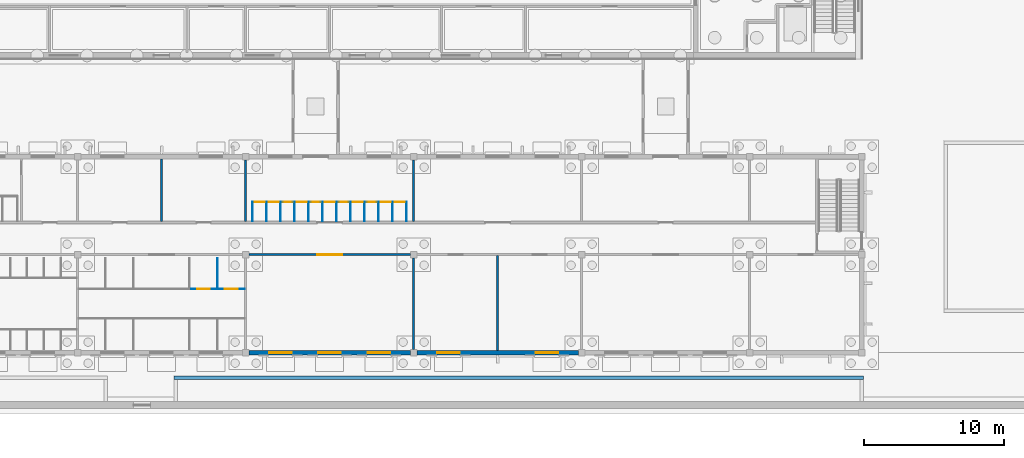
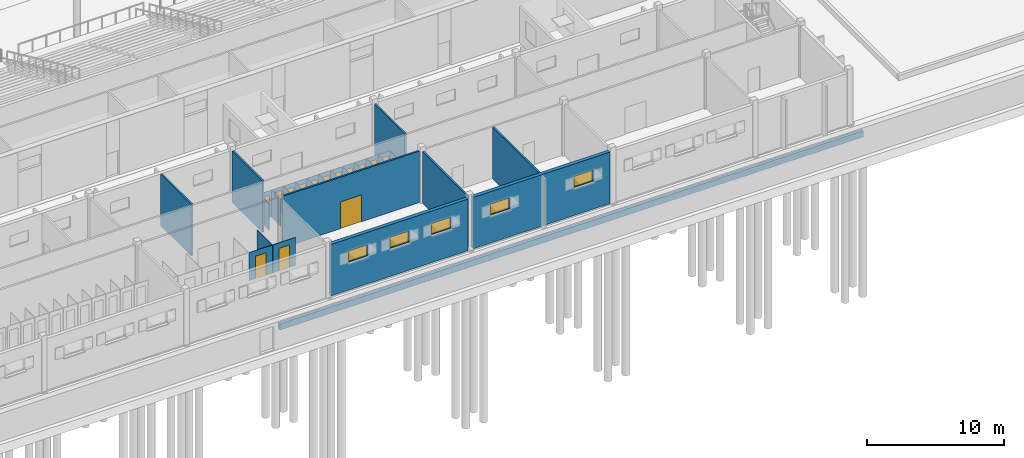
# One storey, part 88 of 157: 35 walls, 14 doors, 5 windows, 19 openings.
"""IFC4 building model written with IfcOpenShell, lengths in metres."""

from ifc_helpers import new_model, si_unit, direction, frame, frame_2d, origin, place, context, subcontext, project, spatial, rectangle, extrude, material, layer, layer_set, type_object, element, fill, save


model = new_model("IFC4")

# Units and contexts
model_context = context("Model", 3, precision=1e-05, world=origin(), true_north=direction((0.0, 1.0)))
body_context = subcontext(model_context, "Body", "Model", "MODEL_VIEW")
ifc_project = project(units=[si_unit("LENGTHUNIT", "METRE"), si_unit("AREAUNIT", "SQUARE_METRE"), si_unit("VOLUMEUNIT", "CUBIC_METRE"), si_unit("PLANEANGLEUNIT", "RADIAN"), si_unit("MASSUNIT", "GRAM", prefix="KILO")], contexts=[model_context])

# Site, building, storey
site_placement = place(None, origin())
site = spatial("IfcSite", under=ifc_project, at=site_placement, CompositionType="ELEMENT")
building_placement = place(site_placement, origin())
building = spatial("IfcBuilding", under=site, at=building_placement, Name="Windward Yard Aquatics Centre", CompositionType="ELEMENT")
storey_placement = place(building_placement, origin())
storey = spatial("IfcBuildingStorey", under=building, at=storey_placement, Name="L00", CompositionType="ELEMENT", Elevation=0.0)

# Wall, opening, door
ifc_material_1 = material(Name="Concrete masonry unit plastered", Category="masonry")
ifc_layer_1 = layer(ifc_material_1, 0.14990234375)
ifc_layer_set_1 = layer_set([ifc_layer_1], Name="C block partition 150")
wall_type_1 = type_object("IfcWallType", Name="C block partition 150", PredefinedType="PARTITIONING", material=ifc_layer_set_1)
wall_1_placement = place(storey_placement, frame((108.22509765625, 12.0, 0.0), z_axis=(0.0, 0.0, 1.0), x_axis=(1.0, 0.0, 0.0)))
wall_1 = element("IfcWall", 1, at=wall_1_placement, inside=storey, type_object=wall_type_1, Name="C.W.L00.SP.S.6", PredefinedType="PARTITIONING", context=body_context, shape_type="SweptSolid", body=[
    extrude(rectangle(XDim=11.5498046875, YDim=0.14990234375, at=frame_2d((5.77490234375, 0.0))), origin(), (0.0, 0.0, 1.0), 4.60009765625),
])
opening_1_placement = place(wall_1_placement, frame((4.875, 0.0, 0.0)))
opening_1 = element("IfcOpeningElement", 2, at=opening_1_placement, cuts=wall_1, Name="Opening C0010", PredefinedType="OPENING", context=body_context, shape_type="SweptSolid", body=[
    extrude(rectangle(XDim=1.800048828125, YDim=2.39990234375, at=frame_2d((0.89990234375, 1.199951171875))), frame((0.0, 0.0849609375, 0.0), z_axis=(0.0, -1.0, 0.0), x_axis=(1.0, 0.0, 0.0)), (0.0, 0.0, 1.0), 0.169921875),
])
ifc_material_2 = material(Name="Timber door leaf in steel frame", Category="steel")
door_type_1 = type_object("IfcDoorType", Name="C double door 1800X2400 FD30S", OperationType="DOUBLE_DOOR_SINGLE_SWING", PredefinedType="DOOR", material=ifc_material_2)
door_1_placement = place(opening_1_placement, origin())
door_1 = element("IfcDoor", 3, at=door_1_placement, inside=storey, type_object=door_type_1, Name="Door C0010", OperationType="DOUBLE_DOOR_SINGLE_SWING", OverallHeight=2.39990234375, OverallWidth=1.800048828125, PredefinedType="DOOR", context=body_context, shape_type="SweptSolid", body=[
    extrude(rectangle(XDim=1.800048828125, YDim=2.39990234375, at=frame_2d((0.89990234375, 1.199951171875))), frame((0.0, 0.02490234375, 0.0), z_axis=(0.0, -1.0, 0.0), x_axis=(1.0, 0.0, 0.0)), (0.0, 0.0, 1.0), 0.050048828125),
])
fill(opening_1, door_1)

# Walls
wall_2_placement = place(storey_placement, frame((120.0, 5.22509765625, 0.0), z_axis=(0.0, 0.0, 1.0), x_axis=(0.0, 1.0, 0.0)))
element("IfcWall", 4, at=wall_2_placement, inside=storey, type_object=wall_type_1, Name="C.W.L00.SD.68.1", PredefinedType="PARTITIONING", context=body_context, shape_type="SweptSolid", body=[
    extrude(rectangle(XDim=6.5498046875, YDim=0.14990234375, at=frame_2d((3.27490234375, 0.0))), origin(), (0.0, 0.0, 1.0), 4.60009765625),
])
wall_3_placement = place(storey_placement, frame((126.0, 5.14990234375, 0.0), z_axis=(0.0, 0.0, 1.0), x_axis=(0.0, 1.0, 0.0)))
element("IfcWall", 5, at=wall_3_placement, inside=storey, type_object=wall_type_1, Name="C.W.L00.SD.74.1", PredefinedType="PARTITIONING", context=body_context, shape_type="SweptSolid", body=[
    extrude(rectangle(XDim=6.775146484375, YDim=0.14990234375, at=frame_2d((3.3876953125, 0.0))), origin(), (0.0, 0.0, 1.0), 4.60009765625),
])
wall_4_placement = place(storey_placement, frame((102.0, 14.375, 0.0), z_axis=(0.0, 0.0, 1.0), x_axis=(0.0, 1.0, 0.0)))
element("IfcWall", 6, at=wall_4_placement, inside=storey, type_object=wall_type_1, Name="C.W.L00.ND.50.1", PredefinedType="PARTITIONING", context=body_context, shape_type="SweptSolid", body=[
    extrude(rectangle(XDim=4.47509765625, YDim=0.14990234375, at=frame_2d((2.237548828125, 0.0))), origin(), (0.0, 0.0, 1.0), 4.60009765625),
])
for number, where, z_axis, x_axis, name in (
    (7, (108.0, 14.375, 0.0), (0.0, 0.0, 1.0), (0.0, 1.0, 0.0), "C.W.L00.ND.56.1"),
    (8, (120.0, 14.375, 0.0), (0.0, 0.0, 1.0), (0.0, 1.0, 0.0), "C.W.L00.ND.68.1"),
):
    element("IfcWall", number, at=place(storey_placement, frame(where, z_axis=z_axis, x_axis=x_axis)), inside=storey, type_object=wall_type_1, Name=name, PredefinedType="PARTITIONING", context=body_context, shape_type="SweptSolid", body=[
        extrude(rectangle(XDim=4.39990234375, YDim=0.14990234375, at=frame_2d((2.199951171875, 0.0))), origin(), (0.0, 0.0, 1.0), 4.60009765625),
    ])
ifc_material_3 = material(Name="High-pressure laminate panel on stainless frame")
ifc_layer_2 = layer(ifc_material_3, 0.0400390625)
ifc_layer_set_2 = layer_set([ifc_layer_2], Name="C cubicle panel 40")
wall_type_2 = type_object("IfcWallType", Name="C cubicle panel 40", PredefinedType="PARTITIONING", material=ifc_layer_set_2)
wall_5_placement = place(storey_placement, frame((106.0, 11.75, 0.0), z_axis=(0.0, 0.0, 1.0), x_axis=(0.0, -1.0, 0.0)))
element("IfcWall", 9, at=wall_5_placement, inside=storey, type_object=wall_type_2, Name="C.W.L00.D.P5", PredefinedType="PARTITIONING", context=body_context, shape_type="SweptSolid", body=[
    extrude(rectangle(XDim=2.199951171875, YDim=0.0400390625, at=frame_2d((1.10009765625, 0.0))), origin(), (0.0, 0.0, 1.0), 2.5),
])

# Wall, opening, door
wall_6_placement = place(storey_placement, frame((104.02001953125, 9.550048828125, 0.0), z_axis=(0.0, 0.0, 1.0), x_axis=(1.0, 0.0, 0.0)))
wall_6 = element("IfcWall", 10, at=wall_6_placement, inside=storey, type_object=wall_type_2, Name="C.W.L00.D.F4", PredefinedType="PARTITIONING", context=body_context, shape_type="SweptSolid", body=[
    extrude(rectangle(XDim=1.9599609375, YDim=0.0400390625, at=frame_2d((0.97998046875, 0.0))), origin(), (0.0, 0.0, 1.0), 2.5),
])
opening_2_placement = place(wall_6_placement, frame((0.530029296875, 0.0, 0.0)))
opening_2 = element("IfcOpeningElement", 11, at=opening_2_placement, cuts=wall_6, Name="Opening C0098", PredefinedType="OPENING", context=body_context, shape_type="SweptSolid", body=[
    extrude(rectangle(XDim=0.89990234375, YDim=2.0, at=frame_2d((0.449951171875, 1.0))), frame((0.0, 0.030029296875, 0.0), z_axis=(0.0, -1.0, 0.0), x_axis=(1.0, 0.0, 0.0)), (0.0, 0.0, 1.0), 0.06005859375),
])
ifc_material_4 = material(Name="High-pressure laminate door leaf")
door_type_2 = type_object("IfcDoorType", Name="C door 900X2000 NOT RATED", OperationType="SINGLE_SWING_LEFT", PredefinedType="DOOR", material=ifc_material_4)
door_2_placement = place(opening_2_placement, origin())
door_2 = element("IfcDoor", 12, at=door_2_placement, inside=storey, type_object=door_type_2, Name="Cubicle door D5", OperationType="SINGLE_SWING_LEFT", OverallHeight=2.0, OverallWidth=0.89990234375, PredefinedType="DOOR", context=body_context, shape_type="SweptSolid", body=[
    extrude(rectangle(XDim=0.89990234375, YDim=2.0, at=frame_2d((0.449951171875, 1.0))), frame((0.0, 0.019775390625, 0.0), z_axis=(0.0, -1.0, 0.0), x_axis=(1.0, 0.0, 0.0)), (0.0, 0.0, 1.0), 0.03955078125),
])
fill(opening_2, door_2)

wall_7_placement = place(storey_placement, frame((106.02001953125, 9.550048828125, 0.0), z_axis=(0.0, 0.0, 1.0), x_axis=(1.0, 0.0, 0.0)))
wall_7 = element("IfcWall", 13, at=wall_7_placement, inside=storey, type_object=wall_type_2, Name="C.W.L00.D.F5", PredefinedType="PARTITIONING", context=body_context, shape_type="SweptSolid", body=[
    extrude(rectangle(XDim=1.905029296875, YDim=0.0400390625, at=frame_2d((0.95263671875, 0.0))), origin(), (0.0, 0.0, 1.0), 2.5),
])
opening_3_placement = place(wall_7_placement, frame((0.50244140625, 0.0, 0.0)))
opening_3 = element("IfcOpeningElement", 14, at=opening_3_placement, cuts=wall_7, Name="Opening C0099", PredefinedType="OPENING", context=body_context, shape_type="SweptSolid", body=[
    extrude(rectangle(XDim=0.89990234375, YDim=2.0, at=frame_2d((0.449951171875, 1.0))), frame((0.0, 0.030029296875, 0.0), z_axis=(0.0, -1.0, 0.0), x_axis=(1.0, 0.0, 0.0)), (0.0, 0.0, 1.0), 0.06005859375),
])
door_3_placement = place(opening_3_placement, origin())
door_3 = element("IfcDoor", 15, at=door_3_placement, inside=storey, type_object=door_type_2, Name="Cubicle door D6", OperationType="SINGLE_SWING_LEFT", OverallHeight=2.0, OverallWidth=0.89990234375, PredefinedType="DOOR", context=body_context, shape_type="SweptSolid", body=[
    extrude(rectangle(XDim=0.89990234375, YDim=2.0, at=frame_2d((0.449951171875, 1.0))), frame((0.0, 0.019775390625, 0.0), z_axis=(0.0, -1.0, 0.0), x_axis=(1.0, 0.0, 0.0)), (0.0, 0.0, 1.0), 0.03955078125),
])
fill(opening_3, door_3)

# Walls
for number, where, z_axis, x_axis, name in (
    (16, (108.5, 14.375, 0.0), (0.0, 0.0, 1.0), (0.0, 1.0, 0.0), "C.W.L00.G.P0"),
    (17, (109.5, 14.375, 0.0), (0.0, 0.0, 1.0), (0.0, 1.0, 0.0), "C.W.L00.G.P1"),
    (18, (110.5, 14.375, 0.0), (0.0, 0.0, 1.0), (0.0, 1.0, 0.0), "C.W.L00.G.P2"),
    (19, (111.5, 14.375, 0.0), (0.0, 0.0, 1.0), (0.0, 1.0, 0.0), "C.W.L00.G.P3"),
    (20, (112.5, 14.375, 0.0), (0.0, 0.0, 1.0), (0.0, 1.0, 0.0), "C.W.L00.G.P4"),
    (21, (113.5, 14.375, 0.0), (0.0, 0.0, 1.0), (0.0, 1.0, 0.0), "C.W.L00.G.P5"),
    (22, (114.5, 14.375, 0.0), (0.0, 0.0, 1.0), (0.0, 1.0, 0.0), "C.W.L00.G.P6"),
    (23, (115.5, 14.375, 0.0), (0.0, 0.0, 1.0), (0.0, 1.0, 0.0), "C.W.L00.G.P7"),
    (24, (116.5, 14.375, 0.0), (0.0, 0.0, 1.0), (0.0, 1.0, 0.0), "C.W.L00.G.P8"),
    (25, (117.5, 14.375, 0.0), (0.0, 0.0, 1.0), (0.0, 1.0, 0.0), "C.W.L00.G.P9"),
    (26, (118.5, 14.375, 0.0), (0.0, 0.0, 1.0), (0.0, 1.0, 0.0), "C.W.L00.G.P10"),
    (27, (119.5, 14.375, 0.0), (0.0, 0.0, 1.0), (0.0, 1.0, 0.0), "C.W.L00.G.P11"),
):
    element("IfcWall", number, at=place(storey_placement, frame(where, z_axis=z_axis, x_axis=x_axis)), inside=storey, type_object=wall_type_2, Name=name, PredefinedType="PARTITIONING", context=body_context, shape_type="SweptSolid", body=[
        extrude(rectangle(XDim=1.39990234375, YDim=0.0400390625, at=frame_2d((0.699951171875, 0.0))), origin(), (0.0, 0.0, 1.0), 2.39990234375),
    ])

# Wall, opening, door
wall_8_placement = place(storey_placement, frame((108.52001953125, 15.77490234375, 0.0), z_axis=(0.0, 0.0, 1.0), x_axis=(1.0, 0.0, 0.0)))
wall_8 = element("IfcWall", 28, at=wall_8_placement, inside=storey, type_object=wall_type_2, Name="C.W.L00.G.F0", PredefinedType="PARTITIONING", context=body_context, shape_type="SweptSolid", body=[
    extrude(rectangle(XDim=0.9599609375, YDim=0.0400390625, at=frame_2d((0.47998046875, 0.0))), origin(), (0.0, 0.0, 1.0), 2.39990234375),
])
opening_4_placement = place(wall_8_placement, frame((0.1298828125, 0.0, 0.0)))
opening_4 = element("IfcOpeningElement", 29, at=opening_4_placement, cuts=wall_8, Name="Opening C0130", PredefinedType="OPENING", context=body_context, shape_type="SweptSolid", body=[
    extrude(rectangle(XDim=0.699951171875, YDim=2.0, at=frame_2d((0.35009765625, 1.0))), frame((0.0, 0.030029296875, 0.0), z_axis=(0.0, -1.0, 0.0), x_axis=(1.0, 0.0, 0.0)), (0.0, 0.0, 1.0), 0.06005859375),
])
door_type_3 = type_object("IfcDoorType", Name="C door 700X2000 NOT RATED", OperationType="SINGLE_SWING_LEFT", PredefinedType="DOOR", material=ifc_material_4)
door_4_placement = place(opening_4_placement, origin())
door_4 = element("IfcDoor", 30, at=door_4_placement, inside=storey, type_object=door_type_3, Name="Cubicle door G1", OperationType="SINGLE_SWING_LEFT", OverallHeight=2.0, OverallWidth=0.699951171875, PredefinedType="DOOR", context=body_context, shape_type="SweptSolid", body=[
    extrude(rectangle(XDim=0.699951171875, YDim=2.0, at=frame_2d((0.35009765625, 1.0))), frame((0.0, 0.019775390625, 0.0), z_axis=(0.0, -1.0, 0.0), x_axis=(1.0, 0.0, 0.0)), (0.0, 0.0, 1.0), 0.03955078125),
])
fill(opening_4, door_4)

wall_9_placement = place(storey_placement, frame((109.52001953125, 15.77490234375, 0.0), z_axis=(0.0, 0.0, 1.0), x_axis=(1.0, 0.0, 0.0)))
wall_9 = element("IfcWall", 31, at=wall_9_placement, inside=storey, type_object=wall_type_2, Name="C.W.L00.G.F1", PredefinedType="PARTITIONING", context=body_context, shape_type="SweptSolid", body=[
    extrude(rectangle(XDim=0.9599609375, YDim=0.0400390625, at=frame_2d((0.47998046875, 0.0))), origin(), (0.0, 0.0, 1.0), 2.39990234375),
])
opening_5_placement = place(wall_9_placement, frame((0.1298828125, 0.0, 0.0)))
opening_5 = element("IfcOpeningElement", 32, at=opening_5_placement, cuts=wall_9, Name="Opening C0131", PredefinedType="OPENING", context=body_context, shape_type="SweptSolid", body=[
    extrude(rectangle(XDim=0.699951171875, YDim=2.0, at=frame_2d((0.35009765625, 1.0))), frame((0.0, 0.030029296875, 0.0), z_axis=(0.0, -1.0, 0.0), x_axis=(1.0, 0.0, 0.0)), (0.0, 0.0, 1.0), 0.06005859375),
])
door_5_placement = place(opening_5_placement, origin())
door_5 = element("IfcDoor", 33, at=door_5_placement, inside=storey, type_object=door_type_3, Name="Cubicle door G2", OperationType="SINGLE_SWING_LEFT", OverallHeight=2.0, OverallWidth=0.699951171875, PredefinedType="DOOR", context=body_context, shape_type="SweptSolid", body=[
    extrude(rectangle(XDim=0.699951171875, YDim=2.0, at=frame_2d((0.35009765625, 1.0))), frame((0.0, 0.019775390625, 0.0), z_axis=(0.0, -1.0, 0.0), x_axis=(1.0, 0.0, 0.0)), (0.0, 0.0, 1.0), 0.03955078125),
])
fill(opening_5, door_5)

wall_10_placement = place(storey_placement, frame((110.52001953125, 15.77490234375, 0.0), z_axis=(0.0, 0.0, 1.0), x_axis=(1.0, 0.0, 0.0)))
wall_10 = element("IfcWall", 34, at=wall_10_placement, inside=storey, type_object=wall_type_2, Name="C.W.L00.G.F2", PredefinedType="PARTITIONING", context=body_context, shape_type="SweptSolid", body=[
    extrude(rectangle(XDim=0.9599609375, YDim=0.0400390625, at=frame_2d((0.47998046875, 0.0))), origin(), (0.0, 0.0, 1.0), 2.39990234375),
])
opening_6_placement = place(wall_10_placement, frame((0.1298828125, 0.0, 0.0)))
opening_6 = element("IfcOpeningElement", 35, at=opening_6_placement, cuts=wall_10, Name="Opening C0132", PredefinedType="OPENING", context=body_context, shape_type="SweptSolid", body=[
    extrude(rectangle(XDim=0.699951171875, YDim=2.0, at=frame_2d((0.35009765625, 1.0))), frame((0.0, 0.030029296875, 0.0), z_axis=(0.0, -1.0, 0.0), x_axis=(1.0, 0.0, 0.0)), (0.0, 0.0, 1.0), 0.06005859375),
])
door_6_placement = place(opening_6_placement, origin())
door_6 = element("IfcDoor", 36, at=door_6_placement, inside=storey, type_object=door_type_3, Name="Cubicle door G3", OperationType="SINGLE_SWING_LEFT", OverallHeight=2.0, OverallWidth=0.699951171875, PredefinedType="DOOR", context=body_context, shape_type="SweptSolid", body=[
    extrude(rectangle(XDim=0.699951171875, YDim=2.0, at=frame_2d((0.35009765625, 1.0))), frame((0.0, 0.019775390625, 0.0), z_axis=(0.0, -1.0, 0.0), x_axis=(1.0, 0.0, 0.0)), (0.0, 0.0, 1.0), 0.03955078125),
])
fill(opening_6, door_6)

wall_11_placement = place(storey_placement, frame((111.52001953125, 15.77490234375, 0.0), z_axis=(0.0, 0.0, 1.0), x_axis=(1.0, 0.0, 0.0)))
wall_11 = element("IfcWall", 37, at=wall_11_placement, inside=storey, type_object=wall_type_2, Name="C.W.L00.G.F3", PredefinedType="PARTITIONING", context=body_context, shape_type="SweptSolid", body=[
    extrude(rectangle(XDim=0.9599609375, YDim=0.0400390625, at=frame_2d((0.47998046875, 0.0))), origin(), (0.0, 0.0, 1.0), 2.39990234375),
])
opening_7_placement = place(wall_11_placement, frame((0.1298828125, 0.0, 0.0)))
opening_7 = element("IfcOpeningElement", 38, at=opening_7_placement, cuts=wall_11, Name="Opening C0133", PredefinedType="OPENING", context=body_context, shape_type="SweptSolid", body=[
    extrude(rectangle(XDim=0.699951171875, YDim=2.0, at=frame_2d((0.35009765625, 1.0))), frame((0.0, 0.030029296875, 0.0), z_axis=(0.0, -1.0, 0.0), x_axis=(1.0, 0.0, 0.0)), (0.0, 0.0, 1.0), 0.06005859375),
])
door_7_placement = place(opening_7_placement, origin())
door_7 = element("IfcDoor", 39, at=door_7_placement, inside=storey, type_object=door_type_3, Name="Cubicle door G4", OperationType="SINGLE_SWING_LEFT", OverallHeight=2.0, OverallWidth=0.699951171875, PredefinedType="DOOR", context=body_context, shape_type="SweptSolid", body=[
    extrude(rectangle(XDim=0.699951171875, YDim=2.0, at=frame_2d((0.35009765625, 1.0))), frame((0.0, 0.019775390625, 0.0), z_axis=(0.0, -1.0, 0.0), x_axis=(1.0, 0.0, 0.0)), (0.0, 0.0, 1.0), 0.03955078125),
])
fill(opening_7, door_7)

wall_12_placement = place(storey_placement, frame((112.52001953125, 15.77490234375, 0.0), z_axis=(0.0, 0.0, 1.0), x_axis=(1.0, 0.0, 0.0)))
wall_12 = element("IfcWall", 40, at=wall_12_placement, inside=storey, type_object=wall_type_2, Name="C.W.L00.G.F4", PredefinedType="PARTITIONING", context=body_context, shape_type="SweptSolid", body=[
    extrude(rectangle(XDim=0.9599609375, YDim=0.0400390625, at=frame_2d((0.47998046875, 0.0))), origin(), (0.0, 0.0, 1.0), 2.39990234375),
])
opening_8_placement = place(wall_12_placement, frame((0.1298828125, 0.0, 0.0)))
opening_8 = element("IfcOpeningElement", 41, at=opening_8_placement, cuts=wall_12, Name="Opening C0134", PredefinedType="OPENING", context=body_context, shape_type="SweptSolid", body=[
    extrude(rectangle(XDim=0.699951171875, YDim=2.0, at=frame_2d((0.35009765625, 1.0))), frame((0.0, 0.030029296875, 0.0), z_axis=(0.0, -1.0, 0.0), x_axis=(1.0, 0.0, 0.0)), (0.0, 0.0, 1.0), 0.06005859375),
])
door_8_placement = place(opening_8_placement, origin())
door_8 = element("IfcDoor", 42, at=door_8_placement, inside=storey, type_object=door_type_3, Name="Cubicle door G5", OperationType="SINGLE_SWING_LEFT", OverallHeight=2.0, OverallWidth=0.699951171875, PredefinedType="DOOR", context=body_context, shape_type="SweptSolid", body=[
    extrude(rectangle(XDim=0.699951171875, YDim=2.0, at=frame_2d((0.35009765625, 1.0))), frame((0.0, 0.019775390625, 0.0), z_axis=(0.0, -1.0, 0.0), x_axis=(1.0, 0.0, 0.0)), (0.0, 0.0, 1.0), 0.03955078125),
])
fill(opening_8, door_8)

wall_13_placement = place(storey_placement, frame((113.52001953125, 15.77490234375, 0.0), z_axis=(0.0, 0.0, 1.0), x_axis=(1.0, 0.0, 0.0)))
wall_13 = element("IfcWall", 43, at=wall_13_placement, inside=storey, type_object=wall_type_2, Name="C.W.L00.G.F5", PredefinedType="PARTITIONING", context=body_context, shape_type="SweptSolid", body=[
    extrude(rectangle(XDim=0.9599609375, YDim=0.0400390625, at=frame_2d((0.47998046875, 0.0))), origin(), (0.0, 0.0, 1.0), 2.39990234375),
])
opening_9_placement = place(wall_13_placement, frame((0.1298828125, 0.0, 0.0)))
opening_9 = element("IfcOpeningElement", 44, at=opening_9_placement, cuts=wall_13, Name="Opening C0135", PredefinedType="OPENING", context=body_context, shape_type="SweptSolid", body=[
    extrude(rectangle(XDim=0.699951171875, YDim=2.0, at=frame_2d((0.35009765625, 1.0))), frame((0.0, 0.030029296875, 0.0), z_axis=(0.0, -1.0, 0.0), x_axis=(1.0, 0.0, 0.0)), (0.0, 0.0, 1.0), 0.06005859375),
])
door_9_placement = place(opening_9_placement, origin())
door_9 = element("IfcDoor", 45, at=door_9_placement, inside=storey, type_object=door_type_3, Name="Cubicle door G6", OperationType="SINGLE_SWING_LEFT", OverallHeight=2.0, OverallWidth=0.699951171875, PredefinedType="DOOR", context=body_context, shape_type="SweptSolid", body=[
    extrude(rectangle(XDim=0.699951171875, YDim=2.0, at=frame_2d((0.35009765625, 1.0))), frame((0.0, 0.019775390625, 0.0), z_axis=(0.0, -1.0, 0.0), x_axis=(1.0, 0.0, 0.0)), (0.0, 0.0, 1.0), 0.03955078125),
])
fill(opening_9, door_9)

wall_14_placement = place(storey_placement, frame((114.52001953125, 15.77490234375, 0.0), z_axis=(0.0, 0.0, 1.0), x_axis=(1.0, 0.0, 0.0)))
wall_14 = element("IfcWall", 46, at=wall_14_placement, inside=storey, type_object=wall_type_2, Name="C.W.L00.G.F6", PredefinedType="PARTITIONING", context=body_context, shape_type="SweptSolid", body=[
    extrude(rectangle(XDim=0.9599609375, YDim=0.0400390625, at=frame_2d((0.47998046875, 0.0))), origin(), (0.0, 0.0, 1.0), 2.39990234375),
])
opening_10_placement = place(wall_14_placement, frame((0.1298828125, 0.0, 0.0)))
opening_10 = element("IfcOpeningElement", 47, at=opening_10_placement, cuts=wall_14, Name="Opening C0136", PredefinedType="OPENING", context=body_context, shape_type="SweptSolid", body=[
    extrude(rectangle(XDim=0.699951171875, YDim=2.0, at=frame_2d((0.35009765625, 1.0))), frame((0.0, 0.030029296875, 0.0), z_axis=(0.0, -1.0, 0.0), x_axis=(1.0, 0.0, 0.0)), (0.0, 0.0, 1.0), 0.06005859375),
])
door_10_placement = place(opening_10_placement, origin())
door_10 = element("IfcDoor", 48, at=door_10_placement, inside=storey, type_object=door_type_3, Name="Cubicle door G7", OperationType="SINGLE_SWING_LEFT", OverallHeight=2.0, OverallWidth=0.699951171875, PredefinedType="DOOR", context=body_context, shape_type="SweptSolid", body=[
    extrude(rectangle(XDim=0.699951171875, YDim=2.0, at=frame_2d((0.35009765625, 1.0))), frame((0.0, 0.019775390625, 0.0), z_axis=(0.0, -1.0, 0.0), x_axis=(1.0, 0.0, 0.0)), (0.0, 0.0, 1.0), 0.03955078125),
])
fill(opening_10, door_10)

wall_15_placement = place(storey_placement, frame((115.52001953125, 15.77490234375, 0.0), z_axis=(0.0, 0.0, 1.0), x_axis=(1.0, 0.0, 0.0)))
wall_15 = element("IfcWall", 49, at=wall_15_placement, inside=storey, type_object=wall_type_2, Name="C.W.L00.G.F7", PredefinedType="PARTITIONING", context=body_context, shape_type="SweptSolid", body=[
    extrude(rectangle(XDim=0.9599609375, YDim=0.0400390625, at=frame_2d((0.47998046875, 0.0))), origin(), (0.0, 0.0, 1.0), 2.39990234375),
])
opening_11_placement = place(wall_15_placement, frame((0.1298828125, 0.0, 0.0)))
opening_11 = element("IfcOpeningElement", 50, at=opening_11_placement, cuts=wall_15, Name="Opening C0137", PredefinedType="OPENING", context=body_context, shape_type="SweptSolid", body=[
    extrude(rectangle(XDim=0.699951171875, YDim=2.0, at=frame_2d((0.35009765625, 1.0))), frame((0.0, 0.030029296875, 0.0), z_axis=(0.0, -1.0, 0.0), x_axis=(1.0, 0.0, 0.0)), (0.0, 0.0, 1.0), 0.06005859375),
])
door_11_placement = place(opening_11_placement, origin())
door_11 = element("IfcDoor", 51, at=door_11_placement, inside=storey, type_object=door_type_3, Name="Cubicle door G8", OperationType="SINGLE_SWING_LEFT", OverallHeight=2.0, OverallWidth=0.699951171875, PredefinedType="DOOR", context=body_context, shape_type="SweptSolid", body=[
    extrude(rectangle(XDim=0.699951171875, YDim=2.0, at=frame_2d((0.35009765625, 1.0))), frame((0.0, 0.019775390625, 0.0), z_axis=(0.0, -1.0, 0.0), x_axis=(1.0, 0.0, 0.0)), (0.0, 0.0, 1.0), 0.03955078125),
])
fill(opening_11, door_11)

wall_16_placement = place(storey_placement, frame((116.52001953125, 15.77490234375, 0.0), z_axis=(0.0, 0.0, 1.0), x_axis=(1.0, 0.0, 0.0)))
wall_16 = element("IfcWall", 52, at=wall_16_placement, inside=storey, type_object=wall_type_2, Name="C.W.L00.G.F8", PredefinedType="PARTITIONING", context=body_context, shape_type="SweptSolid", body=[
    extrude(rectangle(XDim=0.9599609375, YDim=0.0400390625, at=frame_2d((0.47998046875, 0.0))), origin(), (0.0, 0.0, 1.0), 2.39990234375),
])
opening_12_placement = place(wall_16_placement, frame((0.1298828125, 0.0, 0.0)))
opening_12 = element("IfcOpeningElement", 53, at=opening_12_placement, cuts=wall_16, Name="Opening C0138", PredefinedType="OPENING", context=body_context, shape_type="SweptSolid", body=[
    extrude(rectangle(XDim=0.699951171875, YDim=2.0, at=frame_2d((0.35009765625, 1.0))), frame((0.0, 0.030029296875, 0.0), z_axis=(0.0, -1.0, 0.0), x_axis=(1.0, 0.0, 0.0)), (0.0, 0.0, 1.0), 0.06005859375),
])
door_12_placement = place(opening_12_placement, origin())
door_12 = element("IfcDoor", 54, at=door_12_placement, inside=storey, type_object=door_type_3, Name="Cubicle door G9", OperationType="SINGLE_SWING_LEFT", OverallHeight=2.0, OverallWidth=0.699951171875, PredefinedType="DOOR", context=body_context, shape_type="SweptSolid", body=[
    extrude(rectangle(XDim=0.699951171875, YDim=2.0, at=frame_2d((0.35009765625, 1.0))), frame((0.0, 0.019775390625, 0.0), z_axis=(0.0, -1.0, 0.0), x_axis=(1.0, 0.0, 0.0)), (0.0, 0.0, 1.0), 0.03955078125),
])
fill(opening_12, door_12)

wall_17_placement = place(storey_placement, frame((117.52001953125, 15.77490234375, 0.0), z_axis=(0.0, 0.0, 1.0), x_axis=(1.0, 0.0, 0.0)))
wall_17 = element("IfcWall", 55, at=wall_17_placement, inside=storey, type_object=wall_type_2, Name="C.W.L00.G.F9", PredefinedType="PARTITIONING", context=body_context, shape_type="SweptSolid", body=[
    extrude(rectangle(XDim=0.9599609375, YDim=0.0400390625, at=frame_2d((0.47998046875, 0.0))), origin(), (0.0, 0.0, 1.0), 2.39990234375),
])
opening_13_placement = place(wall_17_placement, frame((0.1298828125, 0.0, 0.0)))
opening_13 = element("IfcOpeningElement", 56, at=opening_13_placement, cuts=wall_17, Name="Opening C0139", PredefinedType="OPENING", context=body_context, shape_type="SweptSolid", body=[
    extrude(rectangle(XDim=0.699951171875, YDim=2.0, at=frame_2d((0.35009765625, 1.0))), frame((0.0, 0.030029296875, 0.0), z_axis=(0.0, -1.0, 0.0), x_axis=(1.0, 0.0, 0.0)), (0.0, 0.0, 1.0), 0.06005859375),
])
door_13_placement = place(opening_13_placement, origin())
door_13 = element("IfcDoor", 57, at=door_13_placement, inside=storey, type_object=door_type_3, Name="Cubicle door G10", OperationType="SINGLE_SWING_LEFT", OverallHeight=2.0, OverallWidth=0.699951171875, PredefinedType="DOOR", context=body_context, shape_type="SweptSolid", body=[
    extrude(rectangle(XDim=0.699951171875, YDim=2.0, at=frame_2d((0.35009765625, 1.0))), frame((0.0, 0.019775390625, 0.0), z_axis=(0.0, -1.0, 0.0), x_axis=(1.0, 0.0, 0.0)), (0.0, 0.0, 1.0), 0.03955078125),
])
fill(opening_13, door_13)

wall_18_placement = place(storey_placement, frame((118.52001953125, 15.77490234375, 0.0), z_axis=(0.0, 0.0, 1.0), x_axis=(1.0, 0.0, 0.0)))
wall_18 = element("IfcWall", 58, at=wall_18_placement, inside=storey, type_object=wall_type_2, Name="C.W.L00.G.F10", PredefinedType="PARTITIONING", context=body_context, shape_type="SweptSolid", body=[
    extrude(rectangle(XDim=0.9599609375, YDim=0.0400390625, at=frame_2d((0.47998046875, 0.0))), origin(), (0.0, 0.0, 1.0), 2.39990234375),
])
opening_14_placement = place(wall_18_placement, frame((0.1298828125, 0.0, 0.0)))
opening_14 = element("IfcOpeningElement", 59, at=opening_14_placement, cuts=wall_18, Name="Opening C0140", PredefinedType="OPENING", context=body_context, shape_type="SweptSolid", body=[
    extrude(rectangle(XDim=0.699951171875, YDim=2.0, at=frame_2d((0.35009765625, 1.0))), frame((0.0, 0.030029296875, 0.0), z_axis=(0.0, -1.0, 0.0), x_axis=(1.0, 0.0, 0.0)), (0.0, 0.0, 1.0), 0.06005859375),
])
door_14_placement = place(opening_14_placement, origin())
door_14 = element("IfcDoor", 60, at=door_14_placement, inside=storey, type_object=door_type_3, Name="Cubicle door G11", OperationType="SINGLE_SWING_LEFT", OverallHeight=2.0, OverallWidth=0.699951171875, PredefinedType="DOOR", context=body_context, shape_type="SweptSolid", body=[
    extrude(rectangle(XDim=0.699951171875, YDim=2.0, at=frame_2d((0.35009765625, 1.0))), frame((0.0, 0.019775390625, 0.0), z_axis=(0.0, -1.0, 0.0), x_axis=(1.0, 0.0, 0.0)), (0.0, 0.0, 1.0), 0.03955078125),
])
fill(opening_14, door_14)

# Wall, openings, windows
ifc_material_5 = material(Name="Natural stone cladding", Category="masonry")
ifc_layer_3 = layer(ifc_material_5, 0.04, Name="Cladding")
ifc_material_6 = material(Name="Ventilated air cavity")
ifc_layer_4 = layer(ifc_material_6, 0.04, ventilated=True, Name="Ventilated cavity")
ifc_material_7 = material(Name="Mineral wool insulation")
ifc_layer_5 = layer(ifc_material_7, 0.06, Name="Insulation")
ifc_material_8 = material(Name="Concrete C35/45", Category="concrete")
ifc_layer_6 = layer(ifc_material_8, 0.16, Name="Structure")
ifc_layer_set_3 = layer_set([ifc_layer_3, ifc_layer_4, ifc_layer_5, ifc_layer_6], Name="C stone-faced external wall 300")
wall_type_3 = type_object("IfcWallType", Name="C stone-faced external wall 300", PredefinedType="ELEMENTEDWALL", material=ifc_layer_set_3)
wall_19_placement = place(storey_placement, frame((108.22509765625, 5.0, 0.0), z_axis=(0.0, 0.0, 1.0), x_axis=(1.0, 0.0, 0.0)))
wall_19 = element("IfcWall", 61, at=wall_19_placement, inside=storey, type_object=wall_type_3, Name="C.W.L00.S6", PredefinedType="ELEMENTEDWALL", context=body_context, shape_type="SweptSolid", body=[
    extrude(rectangle(XDim=11.5498046875, YDim=0.300048828125, at=frame_2d((5.77490234375, 0.0))), origin(), (0.0, 0.0, 1.0), 4.60009765625),
])
opening_15_placement = place(wall_19_placement, frame((1.458251953125, 0.0, 2.5)))
opening_15 = element("IfcOpeningElement", 62, at=opening_15_placement, cuts=wall_19, Name="Opening CW0013", PredefinedType="OPENING", context=body_context, shape_type="SweptSolid", body=[
    extrude(rectangle(XDim=1.60009765625, YDim=1.0, at=frame_2d((0.800048828125, 0.5))), frame((0.0, 0.16015625, 0.0), z_axis=(0.0, -1.0, 0.0), x_axis=(1.0, 0.0, 0.0)), (0.0, 0.0, 1.0), 0.320068359375),
])
opening_16_placement = place(wall_19_placement, frame((4.97509765625, 0.0, 2.5)))
opening_16 = element("IfcOpeningElement", 63, at=opening_16_placement, cuts=wall_19, Name="Opening CW0014", PredefinedType="OPENING", context=body_context, shape_type="SweptSolid", body=[
    extrude(rectangle(XDim=1.60009765625, YDim=1.0, at=frame_2d((0.800048828125, 0.5))), frame((0.0, 0.16015625, 0.0), z_axis=(0.0, -1.0, 0.0), x_axis=(1.0, 0.0, 0.0)), (0.0, 0.0, 1.0), 0.320068359375),
])
opening_17_placement = place(wall_19_placement, frame((8.49169921875, 0.0, 2.5)))
opening_17 = element("IfcOpeningElement", 64, at=opening_17_placement, cuts=wall_19, Name="Opening CW0015", PredefinedType="OPENING", context=body_context, shape_type="SweptSolid", body=[
    extrude(rectangle(XDim=1.60009765625, YDim=1.0, at=frame_2d((0.800048828125, 0.5))), frame((0.0, 0.16015625, 0.0), z_axis=(0.0, -1.0, 0.0), x_axis=(1.0, 0.0, 0.0)), (0.0, 0.0, 1.0), 0.320068359375),
])
ifc_material_9 = material(Name="Aluminium framed double glazing", Category="aluminium")
window_type = type_object("IfcWindowType", Name="C window 1600X1000", PartitioningType="SINGLE_PANEL", PredefinedType="WINDOW", material=ifc_material_9)
window_1_placement = place(opening_15_placement, origin())
window_1 = element("IfcWindow", 65, at=window_1_placement, inside=storey, type_object=window_type, Name="Window CW0013", OverallHeight=1.0, OverallWidth=1.60009765625, PartitioningType="SINGLE_PANEL", PredefinedType="WINDOW", context=body_context, shape_type="SweptSolid", body=[
    extrude(rectangle(XDim=1.60009765625, YDim=1.0, at=frame_2d((0.800048828125, 0.5))), frame((0.0, 0.030029296875, 0.0), z_axis=(0.0, -1.0, 0.0), x_axis=(1.0, 0.0, 0.0)), (0.0, 0.0, 1.0), 0.06005859375),
])
fill(opening_15, window_1)
window_2_placement = place(opening_16_placement, origin())
window_2 = element("IfcWindow", 66, at=window_2_placement, inside=storey, type_object=window_type, Name="Window CW0014", OverallHeight=1.0, OverallWidth=1.60009765625, PartitioningType="SINGLE_PANEL", PredefinedType="WINDOW", context=body_context, shape_type="SweptSolid", body=[
    extrude(rectangle(XDim=1.60009765625, YDim=1.0, at=frame_2d((0.800048828125, 0.5))), frame((0.0, 0.030029296875, 0.0), z_axis=(0.0, -1.0, 0.0), x_axis=(1.0, 0.0, 0.0)), (0.0, 0.0, 1.0), 0.06005859375),
])
fill(opening_16, window_2)
window_3_placement = place(opening_17_placement, origin())
window_3 = element("IfcWindow", 67, at=window_3_placement, inside=storey, type_object=window_type, Name="Window CW0015", OverallHeight=1.0, OverallWidth=1.60009765625, PartitioningType="SINGLE_PANEL", PredefinedType="WINDOW", context=body_context, shape_type="SweptSolid", body=[
    extrude(rectangle(XDim=1.60009765625, YDim=1.0, at=frame_2d((0.800048828125, 0.5))), frame((0.0, 0.030029296875, 0.0), z_axis=(0.0, -1.0, 0.0), x_axis=(1.0, 0.0, 0.0)), (0.0, 0.0, 1.0), 0.06005859375),
])
fill(opening_17, window_3)

wall_20_placement = place(storey_placement, frame((120.22509765625, 5.0, 0.0), z_axis=(0.0, 0.0, 1.0), x_axis=(1.0, 0.0, 0.0)))
wall_20 = element("IfcWall", 68, at=wall_20_placement, inside=storey, type_object=wall_type_3, Name="C.W.L00.S7", PredefinedType="ELEMENTEDWALL", context=body_context, shape_type="SweptSolid", body=[
    extrude(rectangle(XDim=11.5498046875, YDim=0.300048828125, at=frame_2d((5.77490234375, 0.0))), origin(), (0.0, 0.0, 1.0), 4.60009765625),
])
opening_18_placement = place(wall_20_placement, frame((1.458251953125, 0.0, 2.5)))
opening_18 = element("IfcOpeningElement", 69, at=opening_18_placement, cuts=wall_20, Name="Opening CW0016", PredefinedType="OPENING", context=body_context, shape_type="SweptSolid", body=[
    extrude(rectangle(XDim=1.60009765625, YDim=1.0, at=frame_2d((0.800048828125, 0.5))), frame((0.0, 0.16015625, 0.0), z_axis=(0.0, -1.0, 0.0), x_axis=(1.0, 0.0, 0.0)), (0.0, 0.0, 1.0), 0.320068359375),
])
opening_19_placement = place(wall_20_placement, frame((8.49169921875, 0.0, 2.5)))
opening_19 = element("IfcOpeningElement", 70, at=opening_19_placement, cuts=wall_20, Name="Opening CW0017", PredefinedType="OPENING", context=body_context, shape_type="SweptSolid", body=[
    extrude(rectangle(XDim=1.60009765625, YDim=1.0, at=frame_2d((0.800048828125, 0.5))), frame((0.0, 0.16015625, 0.0), z_axis=(0.0, -1.0, 0.0), x_axis=(1.0, 0.0, 0.0)), (0.0, 0.0, 1.0), 0.320068359375),
])
window_4_placement = place(opening_18_placement, origin())
window_4 = element("IfcWindow", 71, at=window_4_placement, inside=storey, type_object=window_type, Name="Window CW0016", OverallHeight=1.0, OverallWidth=1.60009765625, PartitioningType="SINGLE_PANEL", PredefinedType="WINDOW", context=body_context, shape_type="SweptSolid", body=[
    extrude(rectangle(XDim=1.60009765625, YDim=1.0, at=frame_2d((0.800048828125, 0.5))), frame((0.0, 0.030029296875, 0.0), z_axis=(0.0, -1.0, 0.0), x_axis=(1.0, 0.0, 0.0)), (0.0, 0.0, 1.0), 0.06005859375),
])
fill(opening_18, window_4)
window_5_placement = place(opening_19_placement, origin())
window_5 = element("IfcWindow", 72, at=window_5_placement, inside=storey, type_object=window_type, Name="Window CW0017", OverallHeight=1.0, OverallWidth=1.60009765625, PartitioningType="SINGLE_PANEL", PredefinedType="WINDOW", context=body_context, shape_type="SweptSolid", body=[
    extrude(rectangle(XDim=1.60009765625, YDim=1.0, at=frame_2d((0.800048828125, 0.5))), frame((0.0, 0.030029296875, 0.0), z_axis=(0.0, -1.0, 0.0), x_axis=(1.0, 0.0, 0.0)), (0.0, 0.0, 1.0), 0.06005859375),
])
fill(opening_19, window_5)

# Wall
ifc_material_10 = material(Name="Bituminous waterproofing membrane with root barrier")
ifc_layer_7 = layer(ifc_material_10, 0.005, Name="Waterproofing and root barrier")
ifc_material_11 = material(Name="Concrete C30/37", Category="concrete")
ifc_layer_8 = layer(ifc_material_11, 0.245, Name="Structure")
ifc_layer_set_4 = layer_set([ifc_layer_7, ifc_layer_8], Name="X Planter Wall Concrete C30/37 250 x 550")
wall_type_4 = type_object("IfcWallType", Name="X Planter Wall Concrete C30/37 250 x 550", PredefinedType="USERDEFINED", material=ifc_layer_set_4)
wall_21_placement = place(storey_placement, frame((102.875, 3.199951171875, -0.10009765625), z_axis=(0.0, 0.0, 1.0), x_axis=(1.0, 0.0, 0.0)))
element("IfcWall", 73, at=wall_21_placement, inside=storey, type_object=wall_type_4, Name="Rail side berm east planter wall", ObjectType="PLANTER WALL", PredefinedType="USERDEFINED", context=body_context, shape_type="SweptSolid", body=[
    extrude(rectangle(XDim=49.25, YDim=0.25, at=frame_2d((24.625, 0.0))), origin(), (0.0, 0.0, 1.0), 0.550048828125),
])

save(model, "model.ifc")
